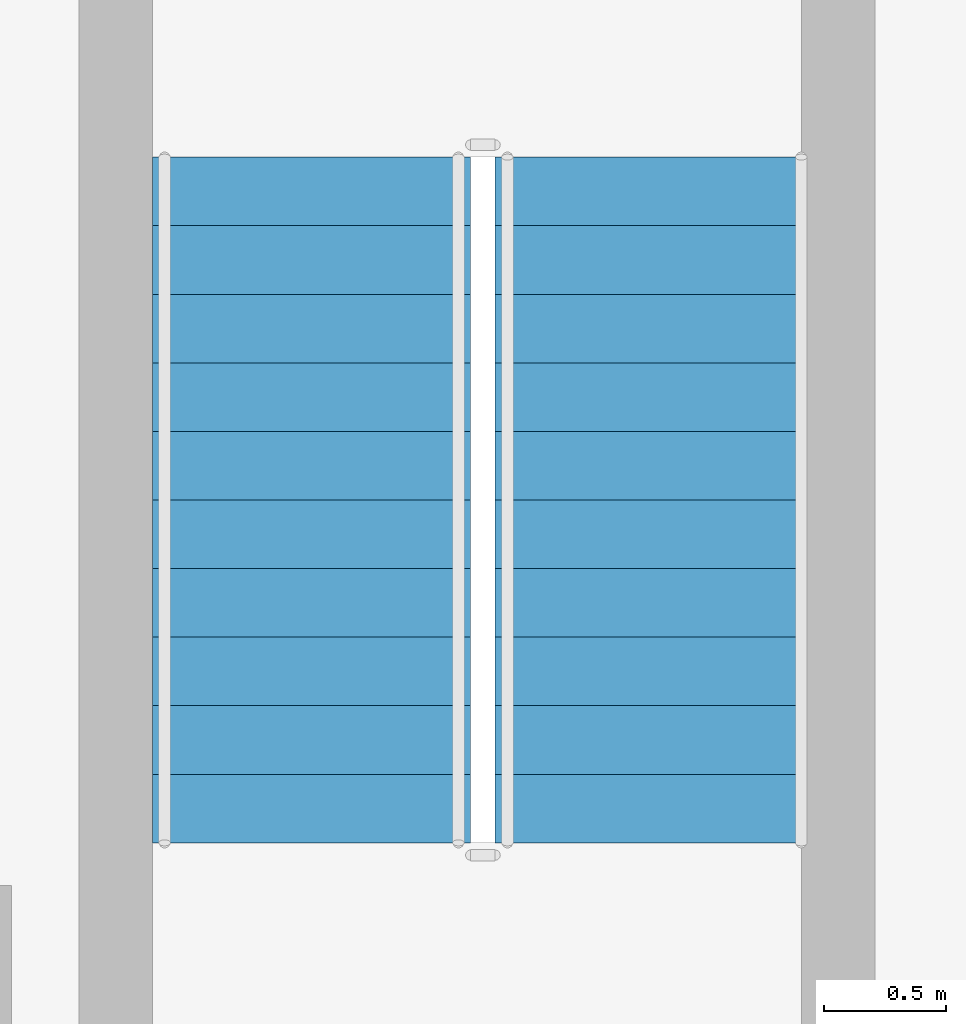
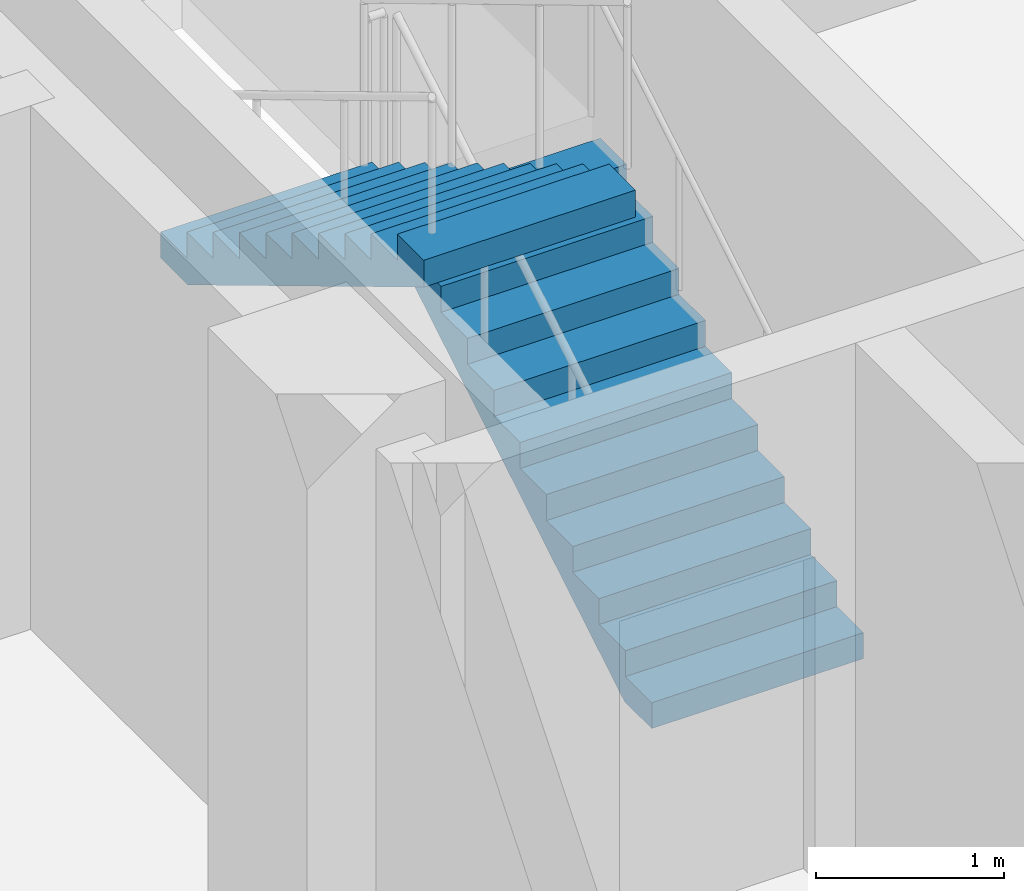
# One storey, part 18 of 25: 2 stair flights, 1 element without a shape of its own.
"""IFC4 building model written with IfcOpenShell, lengths in metres."""

import ifcopenshell
import ifcopenshell.guid

model = None  # the IFC model being written
_history = None  # IfcOwnerHistory: only IFC2X3 demands one
_inside = {}  # id of a spatial element -> (the spatial element, [elements in it])
_under = {}  # id of a project, library or spatial element -> (it, [spatial elements below it])
_declared = {}  # id of a project -> (the project, [libraries it declares])
_typed = {}  # id of a type object -> (the type object, [elements of that type])
_made_of = {}  # id of a material, layer set ... -> (it, [elements and type objects made of it])


def new_model(schema):
    """Start an empty IFC model of exactly this schema.

    Asked for "IFC4X3", IfcOpenShell would pick the latest addendum, in which some entities
    have other attributes; the version numbers below select the first issue.
    IFC2X3 requires an IfcOwnerHistory on every rooted entity: one is made here for all.
    """
    global model, _history
    if schema == "IFC4X3":
        model = ifcopenshell.file(schema_version=(4, 3, 0, 0))
    else:
        model = ifcopenshell.file(schema=schema)
    _inside.clear()
    _under.clear()
    _declared.clear()
    _typed.clear()
    _made_of.clear()
    _history = None
    if model.schema == "IFC2X3":
        org = make("IfcOrganization", Name="unknown")
        user = make(
            "IfcPersonAndOrganization",
            ThePerson=make("IfcPerson", FamilyName="unknown"),
            TheOrganization=org,
        )
        app = make(
            "IfcApplication",
            ApplicationDeveloper=org,
            Version="unknown",
            ApplicationFullName="unknown",
            ApplicationIdentifier="unknown",
        )
        _history = make(
            "IfcOwnerHistory",
            OwningUser=user,
            OwningApplication=app,
            ChangeAction="ADDED",
            CreationDate=0,
        )
    return model


def make(cls, **values):
    """One entity of the class cls with the attributes given. An attribute that is None is left unset."""
    return model.create_entity(
        cls, **{name: value for name, value in values.items() if value is not None}
    )


def rooted(cls, **values):
    """An entity with a GlobalId (a new one), such as an element, a storey or a relation."""
    return make(cls, GlobalId=ifcopenshell.guid.new(), OwnerHistory=_history, **values)


def si_unit(unit_type, name, prefix=None):
    """IfcSIUnit, for example si_unit("LENGTHUNIT", "METRE", prefix="MILLI")."""
    return make("IfcSIUnit", UnitType=unit_type, Prefix=prefix, Name=name)


def assignment(units):
    """IfcUnitAssignment: the units of a project."""
    return None if units is None else make("IfcUnitAssignment", Units=units)


def point(xyz):
    """IfcCartesianPoint."""
    return None if xyz is None else make("IfcCartesianPoint", Coordinates=xyz)


def direction(xyz):
    """IfcDirection."""
    return None if xyz is None else make("IfcDirection", DirectionRatios=xyz)


def frame(location, z_axis=None, x_axis=None):
    """IfcAxis2Placement3D, a coordinate frame: its origin and axes. An axis left out is left unset."""
    return make(
        "IfcAxis2Placement3D",
        Location=point(location),
        Axis=direction(z_axis),
        RefDirection=direction(x_axis),
    )


def origin():
    """The frame at (0, 0, 0) with its axes left unset."""
    return frame((0.0, 0.0, 0.0))


def place(relative_to, where):
    """IfcLocalPlacement: puts the frame where relative to a parent placement (None: the world)."""
    return make(
        "IfcLocalPlacement", PlacementRelTo=relative_to, RelativePlacement=where
    )


def context(
    kind, dimensions, precision=None, world=None, true_north=None, identifier=None
):
    """IfcGeometricRepresentationContext, for example the 3D "Model" context."""
    return make(
        "IfcGeometricRepresentationContext",
        ContextIdentifier=identifier,
        ContextType=kind,
        CoordinateSpaceDimension=dimensions,
        Precision=precision,
        WorldCoordinateSystem=world,
        TrueNorth=true_north,
    )


def subcontext(parent, identifier, kind, view, scale=None):
    """IfcGeometricRepresentationSubContext, for example "Body" below "Model"."""
    return make(
        "IfcGeometricRepresentationSubContext",
        ContextIdentifier=identifier,
        ContextType=kind,
        ParentContext=parent,
        TargetScale=scale,
        TargetView=view,
    )


def project(units=None, contexts=None):
    """IfcProject with its units and contexts."""
    return rooted(
        "IfcProject",
        Name="project",
        RepresentationContexts=contexts,
        UnitsInContext=assignment(units),
    )


def spatial(cls, under=None, at=None, **own):
    """A site, building, storey or space (cls), placed at a placement, below another one or the project."""
    s = rooted(cls, ObjectPlacement=at, **own)
    if under is not None:
        _under.setdefault(under.id(), (under, []))[1].append(s)
    return s


def point_list(points):
    """IfcCartesianPointList2D or 3D."""
    cls = (
        "IfcCartesianPointList2D" if len(points[0]) == 2 else "IfcCartesianPointList3D"
    )
    return make(cls, CoordList=points)


def triangles(points, corners, closed=None, point_numbers=None):
    """IfcTriangulatedFaceSet: each triangle names its three corners, points numbered from 1."""
    return make(
        "IfcTriangulatedFaceSet",
        Coordinates=point_list(points),
        Closed=closed,
        CoordIndex=corners,
        PnIndex=point_numbers,
    )


def shape(context_of_items, identifier, shape_type, items):
    """IfcShapeRepresentation: the items that make up one representation, for example the "Body"."""
    return make(
        "IfcShapeRepresentation",
        ContextOfItems=context_of_items,
        RepresentationIdentifier=identifier,
        RepresentationType=shape_type,
        Items=items,
    )


def source(mapping_origin, context_of_items, identifier, shape_type, items):
    """IfcRepresentationMap: a shape defined once, which mapped items show again and again."""
    return make(
        "IfcRepresentationMap",
        MappingOrigin=mapping_origin,
        MappedRepresentation=shape(context_of_items, identifier, shape_type, items),
    )


def transform(
    local_origin,
    x_axis=None,
    y_axis=None,
    z_axis=None,
    scale=None,
    scale2=None,
    scale3=None,
    uniform=True,
):
    """IfcCartesianTransformationOperator3D, or its non-uniform kind. x_axis, y_axis, z_axis: its Axis1, 2, 3."""
    if uniform:
        return make(
            "IfcCartesianTransformationOperator3D",
            Axis1=direction(x_axis),
            Axis2=direction(y_axis),
            LocalOrigin=point(local_origin),
            Scale=scale,
            Axis3=direction(z_axis),
        )
    return make(
        "IfcCartesianTransformationOperator3DnonUniform",
        Axis1=direction(x_axis),
        Axis2=direction(y_axis),
        LocalOrigin=point(local_origin),
        Scale=scale,
        Axis3=direction(z_axis),
        Scale2=scale2,
        Scale3=scale3,
    )


def mapped(mapping_source, mapping_target):
    """IfcMappedItem: shows the shape of a source again, moved by a transform."""
    return make(
        "IfcMappedItem", MappingSource=mapping_source, MappingTarget=mapping_target
    )


def material(Name=None, Category=None):
    """IfcMaterial."""
    return make("IfcMaterial", Name=Name, Category=Category)


def made_of(thing, what):
    """Note that an element or type object is made of a material, layer set ...; save() writes the relation."""
    if what is not None:
        _made_of.setdefault(what.id(), (what, []))[1].append(thing)
    return thing


def type_object(cls, material=None, **own):
    """A type object (cls), such as IfcWallType, which elements share."""
    return made_of(rooted(cls, **own), material)


def element(
    cls,
    number,
    at=None,
    inside=None,
    cuts=None,
    type_object=None,
    material=None,
    context=None,
    identifier="Body",
    shape_type=None,
    held_by="IfcProductDefinitionShape",
    body=None,
    shapes=None,
    **own,
):
    """One element of the class cls, such as IfcWall. Its Tag is "e" and its number.

    at: its placement. inside: the storey or other place that contains it. cuts: it is an
    opening in that element (IfcRelVoidsElement). A single representation is given by context,
    identifier, shape_type and body (its items); several are given by shapes. held_by: the class
    of the entity that holds the representations. save() writes the other relations.
    """
    e = rooted(cls, Tag="e%d" % number, ObjectPlacement=at, **own)
    if body is not None:
        shapes = [shape(context, identifier, shape_type, body)]
    if shapes is not None:
        e.Representation = make(held_by, Representations=shapes)
    if inside is not None:
        _inside.setdefault(inside.id(), (inside, []))[1].append(e)
    if cuts is not None:
        rooted(
            "IfcRelVoidsElement", RelatingBuildingElement=cuts, RelatedOpeningElement=e
        )
    if type_object is not None:
        _typed.setdefault(type_object.id(), (type_object, []))[1].append(e)
    return made_of(e, material)


def aggregate(whole, parts):
    """IfcRelAggregates: a whole, such as a stair, and the parts it consists of."""
    return rooted("IfcRelAggregates", RelatingObject=whole, RelatedObjects=parts)


def save(model, path):
    """Write the relations noted so far, then the file.

    IfcRelAggregates (storeys below a building ...), IfcRelContainedInSpatialStructure (elements
    in a storey), IfcRelDefinesByType, IfcRelAssociatesMaterial and IfcRelDeclares: one each for
    every whole, place, type object, material and project.
    """
    for whole, parts in _under.values():
        aggregate(whole, parts)
    for where, things in _inside.values():
        rooted(
            "IfcRelContainedInSpatialStructure",
            RelatedElements=things,
            RelatingStructure=where,
        )
    for kind, things in _typed.values():
        rooted("IfcRelDefinesByType", RelatedObjects=things, RelatingType=kind)
    for what, things in _made_of.values():
        rooted("IfcRelAssociatesMaterial", RelatedObjects=things, RelatingMaterial=what)
    for by, libraries in _declared.values():
        rooted("IfcRelDeclares", RelatingContext=by, RelatedDefinitions=libraries)
    model.write(path)


model = new_model("IFC4")

# Units and contexts
model_context = context("Model", 3, precision=1e-05, world=origin(), true_north=direction((0.0, 1.0)))
body_context = subcontext(model_context, "Body", "Model", "MODEL_VIEW")
ifc_project = project(units=[si_unit("LENGTHUNIT", "METRE"), si_unit("AREAUNIT", "SQUARE_METRE"), si_unit("VOLUMEUNIT", "CUBIC_METRE"), si_unit("PLANEANGLEUNIT", "RADIAN"), si_unit("MASSUNIT", "GRAM", prefix="KILO")], contexts=[model_context])

# Site, building, storey
site_placement = place(None, origin())
site = spatial("IfcSite", under=ifc_project, at=site_placement, CompositionType="ELEMENT")
building_placement = place(site_placement, origin())
building = spatial("IfcBuilding", under=site, at=building_placement, Name="Ogive Portal Towers", CompositionType="ELEMENT")
storey_placement = place(building_placement, frame((0.0, 0.0, 116.699951171875)))
storey = spatial("IfcBuildingStorey", under=building, at=storey_placement, Name="L28", CompositionType="ELEMENT", Elevation=116.699951171875)

# Stair, stair flights
ifc_material = material(Name="Concrete C40/50", Category="concrete")
stair_type = type_object("IfcStairType", Name="INT-STAIR", PredefinedType="HALF_TURN_STAIR", material=ifc_material)
stair_placement = place(storey_placement, origin())
stair = element("IfcStair", 1, at=stair_placement, inside=storey, type_object=stair_type, Name="L28 Exit Stair ST-A3", PredefinedType="HALF_TURN_STAIR")
stair_flight_type = type_object("IfcStairFlightType", Name="INT-FLIGHT", PredefinedType="STRAIGHT", material=ifc_material)
shared_shape = source(origin(), body_context, "Body", "Tessellation", [
    triangles([(0.0, -0.650146484375, 0.0), (0.0, -0.376220703125, 0.0), (0.0, -0.192626953125, 0.0), (0.0, -0.081298828125, 0.0), (0.0, -0.024169921875, 0.0), (0.0, -0.003173828125, 0.0), (0.0, 0.0, 0.0), (0.0, 0.0029296875, 0.0), (0.0, 0.02392578125, 0.0), (0.0, 0.0810546875, 0.0), (0.0, 0.1923828125, 0.0), (0.0, 0.3759765625, 0.0), (0.0, 0.64990234375, 0.0), (0.0, -0.650146484375, 0.168212890625), (0.0, -0.376220703125, 0.168212890625), (0.0, -0.192626953125, 0.168212890625), (0.0, -0.081298828125, 0.168212890625), (0.0, -0.024169921875, 0.168212890625), (0.0, -0.003173828125, 0.168212890625), (0.0, 0.0, 0.168212890625), (0.0, 0.0029296875, 0.168212890625), (0.0, 0.02392578125, 0.168212890625), (0.0, 0.0810546875, 0.168212890625), (0.0, 0.1923828125, 0.168212890625), (0.0, 0.3759765625, 0.168212890625), (0.0, 0.64990234375, 0.168212890625), (0.280029296875, -0.650146484375, 0.168212890625), (0.280029296875, -0.376220703125, 0.168212890625), (0.280029296875, -0.192626953125, 0.168212890625), (0.280029296875, -0.081298828125, 0.168212890625), (0.280029296875, -0.024169921875, 0.168212890625), (0.280029296875, -0.003173828125, 0.168212890625), (0.280029296875, 0.0, 0.168212890625), (0.280029296875, 0.0029296875, 0.168212890625), (0.280029296875, 0.02392578125, 0.168212890625), (0.280029296875, 0.0810546875, 0.168212890625), (0.280029296875, 0.1923828125, 0.168212890625), (0.280029296875, 0.3759765625, 0.168212890625), (0.280029296875, 0.64990234375, 0.168212890625), (0.280029296875, -0.650146484375, 0.33642578125), (0.280029296875, -0.376220703125, 0.33642578125), (0.280029296875, -0.192626953125, 0.33642578125), (0.280029296875, -0.081298828125, 0.33642578125), (0.280029296875, -0.024169921875, 0.33642578125), (0.280029296875, -0.003173828125, 0.33642578125), (0.280029296875, 0.0, 0.33642578125), (0.280029296875, 0.0029296875, 0.33642578125), (0.280029296875, 0.02392578125, 0.33642578125), (0.280029296875, 0.0810546875, 0.33642578125), (0.280029296875, 0.1923828125, 0.33642578125), (0.280029296875, 0.3759765625, 0.33642578125), (0.280029296875, 0.64990234375, 0.33642578125), (0.56005859375, -0.650146484375, 0.33642578125), (0.56005859375, -0.376220703125, 0.33642578125), (0.56005859375, -0.192626953125, 0.33642578125), (0.56005859375, -0.081298828125, 0.33642578125), (0.56005859375, -0.024169921875, 0.33642578125), (0.56005859375, -0.003173828125, 0.33642578125), (0.56005859375, 0.0, 0.33642578125), (0.56005859375, 0.0029296875, 0.33642578125), (0.56005859375, 0.02392578125, 0.33642578125), (0.56005859375, 0.0810546875, 0.33642578125), (0.56005859375, 0.1923828125, 0.33642578125), (0.56005859375, 0.3759765625, 0.33642578125), (0.56005859375, 0.64990234375, 0.33642578125), (0.56005859375, -0.650146484375, 0.504638671875), (0.56005859375, -0.376220703125, 0.504638671875), (0.56005859375, -0.192626953125, 0.504638671875), (0.56005859375, -0.081298828125, 0.504638671875), (0.56005859375, -0.024169921875, 0.504638671875), (0.56005859375, -0.003173828125, 0.504638671875), (0.56005859375, 0.0, 0.504638671875), (0.56005859375, 0.0029296875, 0.504638671875), (0.56005859375, 0.02392578125, 0.504638671875), (0.56005859375, 0.0810546875, 0.504638671875), (0.56005859375, 0.1923828125, 0.504638671875), (0.56005859375, 0.3759765625, 0.504638671875), (0.56005859375, 0.64990234375, 0.504638671875), (0.840087890625, -0.650146484375, 0.504638671875), (0.840087890625, -0.376220703125, 0.504638671875), (0.840087890625, -0.192626953125, 0.504638671875), (0.840087890625, -0.081298828125, 0.504638671875), (0.840087890625, -0.024169921875, 0.504638671875), (0.840087890625, -0.003173828125, 0.504638671875), (0.840087890625, 0.0, 0.504638671875), (0.840087890625, 0.0029296875, 0.504638671875), (0.840087890625, 0.02392578125, 0.504638671875), (0.840087890625, 0.0810546875, 0.504638671875), (0.840087890625, 0.1923828125, 0.504638671875), (0.840087890625, 0.3759765625, 0.504638671875), (0.840087890625, 0.64990234375, 0.504638671875), (0.840087890625, -0.650146484375, 0.672607421875), (0.840087890625, -0.376220703125, 0.672607421875), (0.840087890625, -0.192626953125, 0.672607421875), (0.840087890625, -0.081298828125, 0.672607421875), (0.840087890625, -0.024169921875, 0.672607421875), (0.840087890625, -0.003173828125, 0.672607421875), (0.840087890625, 0.0, 0.672607421875), (0.840087890625, 0.0029296875, 0.672607421875), (0.840087890625, 0.02392578125, 0.672607421875), (0.840087890625, 0.0810546875, 0.672607421875), (0.840087890625, 0.1923828125, 0.672607421875), (0.840087890625, 0.3759765625, 0.672607421875), (0.840087890625, 0.64990234375, 0.672607421875), (1.1201171875, -0.650146484375, 0.672607421875), (1.1201171875, -0.376220703125, 0.672607421875), (1.1201171875, -0.192626953125, 0.672607421875), (1.1201171875, -0.081298828125, 0.672607421875), (1.1201171875, -0.024169921875, 0.672607421875), (1.1201171875, -0.003173828125, 0.672607421875), (1.1201171875, 0.0, 0.672607421875), (1.1201171875, 0.0029296875, 0.672607421875), (1.1201171875, 0.02392578125, 0.672607421875), (1.1201171875, 0.0810546875, 0.672607421875), (1.1201171875, 0.1923828125, 0.672607421875), (1.1201171875, 0.3759765625, 0.672607421875), (1.1201171875, 0.64990234375, 0.672607421875), (1.1201171875, -0.650146484375, 0.8408203125), (1.1201171875, -0.376220703125, 0.8408203125), (1.1201171875, -0.192626953125, 0.8408203125), (1.1201171875, -0.081298828125, 0.8408203125), (1.1201171875, -0.024169921875, 0.8408203125), (1.1201171875, -0.003173828125, 0.8408203125), (1.1201171875, 0.0, 0.8408203125), (1.1201171875, 0.0029296875, 0.8408203125), (1.1201171875, 0.02392578125, 0.8408203125), (1.1201171875, 0.0810546875, 0.8408203125), (1.1201171875, 0.1923828125, 0.8408203125), (1.1201171875, 0.3759765625, 0.8408203125), (1.1201171875, 0.64990234375, 0.8408203125), (1.39990234375, -0.650146484375, 0.8408203125), (1.39990234375, -0.376220703125, 0.8408203125), (1.39990234375, -0.192626953125, 0.8408203125), (1.39990234375, -0.081298828125, 0.8408203125), (1.39990234375, -0.024169921875, 0.8408203125), (1.39990234375, -0.003173828125, 0.8408203125), (1.39990234375, 0.0, 0.8408203125), (1.39990234375, 0.0029296875, 0.8408203125), (1.39990234375, 0.02392578125, 0.8408203125), (1.39990234375, 0.0810546875, 0.8408203125), (1.39990234375, 0.1923828125, 0.8408203125), (1.39990234375, 0.3759765625, 0.8408203125), (1.39990234375, 0.64990234375, 0.8408203125), (1.39990234375, -0.650146484375, 1.009033203125), (1.39990234375, -0.376220703125, 1.009033203125), (1.39990234375, -0.192626953125, 1.009033203125), (1.39990234375, -0.081298828125, 1.009033203125), (1.39990234375, -0.024169921875, 1.009033203125), (1.39990234375, -0.003173828125, 1.009033203125), (1.39990234375, 0.0, 1.009033203125), (1.39990234375, 0.0029296875, 1.009033203125), (1.39990234375, 0.02392578125, 1.009033203125), (1.39990234375, 0.0810546875, 1.009033203125), (1.39990234375, 0.1923828125, 1.009033203125), (1.39990234375, 0.3759765625, 1.009033203125), (1.39990234375, 0.64990234375, 1.009033203125), (1.679931640625, -0.650146484375, 1.009033203125), (1.679931640625, -0.376220703125, 1.009033203125), (1.679931640625, -0.192626953125, 1.009033203125), (1.679931640625, -0.081298828125, 1.009033203125), (1.679931640625, -0.024169921875, 1.009033203125), (1.679931640625, -0.003173828125, 1.009033203125), (1.679931640625, 0.0, 1.009033203125), (1.679931640625, 0.0029296875, 1.009033203125), (1.679931640625, 0.02392578125, 1.009033203125), (1.679931640625, 0.0810546875, 1.009033203125), (1.679931640625, 0.1923828125, 1.009033203125), (1.679931640625, 0.3759765625, 1.009033203125), (1.679931640625, 0.64990234375, 1.009033203125), (1.679931640625, -0.650146484375, 1.17724609375), (1.679931640625, -0.376220703125, 1.17724609375), (1.679931640625, -0.192626953125, 1.17724609375), (1.679931640625, -0.081298828125, 1.17724609375), (1.679931640625, -0.024169921875, 1.17724609375), (1.679931640625, -0.003173828125, 1.17724609375), (1.679931640625, 0.0, 1.17724609375), (1.679931640625, 0.0029296875, 1.17724609375), (1.679931640625, 0.02392578125, 1.17724609375), (1.679931640625, 0.0810546875, 1.17724609375), (1.679931640625, 0.1923828125, 1.17724609375), (1.679931640625, 0.3759765625, 1.17724609375), (1.679931640625, 0.64990234375, 1.17724609375), (1.9599609375, -0.650146484375, 1.17724609375), (1.9599609375, -0.376220703125, 1.17724609375), (1.9599609375, -0.192626953125, 1.17724609375), (1.9599609375, -0.081298828125, 1.17724609375), (1.9599609375, -0.024169921875, 1.17724609375), (1.9599609375, -0.003173828125, 1.17724609375), (1.9599609375, 0.0, 1.17724609375), (1.9599609375, 0.0029296875, 1.17724609375), (1.9599609375, 0.02392578125, 1.17724609375), (1.9599609375, 0.0810546875, 1.17724609375), (1.9599609375, 0.1923828125, 1.17724609375), (1.9599609375, 0.3759765625, 1.17724609375), (1.9599609375, 0.64990234375, 1.17724609375), (1.9599609375, -0.650146484375, 1.345458984375), (1.9599609375, -0.376220703125, 1.345458984375), (1.9599609375, -0.192626953125, 1.345458984375), (1.9599609375, -0.081298828125, 1.345458984375), (1.9599609375, -0.024169921875, 1.345458984375), (1.9599609375, -0.003173828125, 1.345458984375), (1.9599609375, 0.0, 1.345458984375), (1.9599609375, 0.0029296875, 1.345458984375), (1.9599609375, 0.02392578125, 1.345458984375), (1.9599609375, 0.0810546875, 1.345458984375), (1.9599609375, 0.1923828125, 1.345458984375), (1.9599609375, 0.3759765625, 1.345458984375), (1.9599609375, 0.64990234375, 1.345458984375), (2.239990234375, -0.650146484375, 1.345458984375), (2.239990234375, -0.376220703125, 1.345458984375), (2.239990234375, -0.192626953125, 1.345458984375), (2.239990234375, -0.081298828125, 1.345458984375), (2.239990234375, -0.024169921875, 1.345458984375), (2.239990234375, -0.003173828125, 1.345458984375), (2.239990234375, 0.0, 1.345458984375), (2.239990234375, 0.0029296875, 1.345458984375), (2.239990234375, 0.02392578125, 1.345458984375), (2.239990234375, 0.0810546875, 1.345458984375), (2.239990234375, 0.1923828125, 1.345458984375), (2.239990234375, 0.3759765625, 1.345458984375), (2.239990234375, 0.64990234375, 1.345458984375), (2.239990234375, -0.650146484375, 1.513671875), (2.239990234375, -0.376220703125, 1.513671875), (2.239990234375, -0.192626953125, 1.513671875), (2.239990234375, -0.081298828125, 1.513671875), (2.239990234375, -0.024169921875, 1.513671875), (2.239990234375, -0.003173828125, 1.513671875), (2.239990234375, 0.0, 1.513671875), (2.239990234375, 0.0029296875, 1.513671875), (2.239990234375, 0.02392578125, 1.513671875), (2.239990234375, 0.0810546875, 1.513671875), (2.239990234375, 0.1923828125, 1.513671875), (2.239990234375, 0.3759765625, 1.513671875), (2.239990234375, 0.64990234375, 1.513671875), (2.52001953125, -0.650146484375, 1.513671875), (2.52001953125, -0.376220703125, 1.513671875), (2.52001953125, -0.192626953125, 1.513671875), (2.52001953125, -0.081298828125, 1.513671875), (2.52001953125, -0.024169921875, 1.513671875), (2.52001953125, -0.003173828125, 1.513671875), (2.52001953125, 0.0, 1.513671875), (2.52001953125, 0.0029296875, 1.513671875), (2.52001953125, 0.02392578125, 1.513671875), (2.52001953125, 0.0810546875, 1.513671875), (2.52001953125, 0.1923828125, 1.513671875), (2.52001953125, 0.3759765625, 1.513671875), (2.52001953125, 0.64990234375, 1.513671875), (2.52001953125, -0.650146484375, 1.681884765625), (2.52001953125, -0.376220703125, 1.681884765625), (2.52001953125, -0.192626953125, 1.681884765625), (2.52001953125, -0.081298828125, 1.681884765625), (2.52001953125, -0.024169921875, 1.681884765625), (2.52001953125, -0.003173828125, 1.681884765625), (2.52001953125, 0.0, 1.681884765625), (2.52001953125, 0.0029296875, 1.681884765625), (2.52001953125, 0.02392578125, 1.681884765625), (2.52001953125, 0.0810546875, 1.681884765625), (2.52001953125, 0.1923828125, 1.681884765625), (2.52001953125, 0.3759765625, 1.681884765625), (2.52001953125, 0.64990234375, 1.681884765625), (2.800048828125, -0.650146484375, 1.681884765625), (2.800048828125, -0.376220703125, 1.681884765625), (2.800048828125, -0.192626953125, 1.681884765625), (2.800048828125, -0.081298828125, 1.681884765625), (2.800048828125, -0.024169921875, 1.681884765625), (2.800048828125, -0.003173828125, 1.681884765625), (2.800048828125, 0.0, 1.681884765625), (2.800048828125, 0.0029296875, 1.681884765625), (2.800048828125, 0.02392578125, 1.681884765625), (2.800048828125, 0.0810546875, 1.681884765625), (2.800048828125, 0.1923828125, 1.681884765625), (2.800048828125, 0.3759765625, 1.681884765625), (2.800048828125, 0.64990234375, 1.681884765625), (2.800048828125, -0.650146484375, 1.5068359375), (2.800048828125, -0.376220703125, 1.5068359375), (2.800048828125, -0.192626953125, 1.5068359375), (2.800048828125, -0.081298828125, 1.5068359375), (2.800048828125, -0.024169921875, 1.5068359375), (2.800048828125, -0.003173828125, 1.5068359375), (2.800048828125, 0.0, 1.5068359375), (2.800048828125, 0.0029296875, 1.5068359375), (2.800048828125, 0.02392578125, 1.5068359375), (2.800048828125, 0.0810546875, 1.5068359375), (2.800048828125, 0.1923828125, 1.5068359375), (2.800048828125, 0.3759765625, 1.5068359375), (2.800048828125, 0.64990234375, 1.5068359375), (0.291015625, -0.650146484375, 0.0), (0.291015625, -0.376220703125, 0.0), (0.291015625, -0.192626953125, 0.0), (0.291015625, -0.081298828125, 0.0), (0.291015625, -0.024169921875, 0.0), (0.291015625, -0.003173828125, 0.0), (0.291015625, 0.0, 0.0), (0.291015625, 0.0029296875, 0.0), (0.291015625, 0.02392578125, 0.0), (0.291015625, 0.0810546875, 0.0), (0.291015625, 0.1923828125, 0.0), (0.291015625, 0.3759765625, 0.0), (0.291015625, 0.64990234375, 0.0)], [[1, 14, 15], [1, 15, 2], [2, 15, 16], [2, 16, 3], [3, 16, 17], [3, 17, 4], [4, 17, 18], [4, 18, 5], [5, 18, 19], [5, 19, 6], [6, 19, 20], [6, 20, 7], [7, 20, 21], [7, 21, 8], [8, 21, 22], [8, 22, 9], [9, 22, 23], [9, 23, 10], [10, 23, 24], [10, 24, 11], [11, 24, 25], [11, 25, 12], [12, 25, 26], [12, 26, 13], [14, 27, 28], [14, 28, 15], [15, 28, 29], [15, 29, 16], [16, 29, 30], [16, 30, 17], [17, 30, 31], [17, 31, 18], [18, 31, 32], [18, 32, 19], [19, 32, 33], [19, 33, 20], [20, 33, 34], [20, 34, 21], [21, 34, 35], [21, 35, 22], [22, 35, 36], [22, 36, 23], [23, 36, 37], [23, 37, 24], [24, 37, 38], [24, 38, 25], [25, 38, 39], [25, 39, 26], [27, 40, 41], [27, 41, 28], [28, 41, 42], [28, 42, 29], [29, 42, 43], [29, 43, 30], [30, 43, 44], [30, 44, 31], [31, 44, 45], [31, 45, 32], [32, 45, 46], [32, 46, 33], [33, 46, 47], [33, 47, 34], [34, 47, 48], [34, 48, 35], [35, 48, 49], [35, 49, 36], [36, 49, 50], [36, 50, 37], [37, 50, 51], [37, 51, 38], [38, 51, 52], [38, 52, 39], [40, 53, 54], [40, 54, 41], [41, 54, 55], [41, 55, 42], [42, 55, 56], [42, 56, 43], [43, 56, 57], [43, 57, 44], [44, 57, 58], [44, 58, 45], [45, 58, 59], [45, 59, 46], [46, 59, 60], [46, 60, 47], [47, 60, 61], [47, 61, 48], [48, 61, 62], [48, 62, 49], [49, 62, 63], [49, 63, 50], [50, 63, 64], [50, 64, 51], [51, 64, 65], [51, 65, 52], [53, 66, 67], [53, 67, 54], [54, 67, 68], [54, 68, 55], [55, 68, 69], [55, 69, 56], [56, 69, 70], [56, 70, 57], [57, 70, 71], [57, 71, 58], [58, 71, 72], [58, 72, 59], [59, 72, 73], [59, 73, 60], [60, 73, 74], [60, 74, 61], [61, 74, 75], [61, 75, 62], [62, 75, 76], [62, 76, 63], [63, 76, 77], [63, 77, 64], [64, 77, 78], [64, 78, 65], [66, 79, 80], [66, 80, 67], [67, 80, 81], [67, 81, 68], [68, 81, 82], [68, 82, 69], [69, 82, 83], [69, 83, 70], [70, 83, 84], [70, 84, 71], [71, 84, 85], [71, 85, 72], [72, 85, 86], [72, 86, 73], [73, 86, 87], [73, 87, 74], [74, 87, 88], [74, 88, 75], [75, 88, 89], [75, 89, 76], [76, 89, 90], [76, 90, 77], [77, 90, 91], [77, 91, 78], [79, 92, 93], [79, 93, 80], [80, 93, 94], [80, 94, 81], [81, 94, 95], [81, 95, 82], [82, 95, 96], [82, 96, 83], [83, 96, 97], [83, 97, 84], [84, 97, 98], [84, 98, 85], [85, 98, 99], [85, 99, 86], [86, 99, 100], [86, 100, 87], [87, 100, 101], [87, 101, 88], [88, 101, 102], [88, 102, 89], [89, 102, 103], [89, 103, 90], [90, 103, 104], [90, 104, 91], [92, 105, 106], [92, 106, 93], [93, 106, 107], [93, 107, 94], [94, 107, 108], [94, 108, 95], [95, 108, 109], [95, 109, 96], [96, 109, 110], [96, 110, 97], [97, 110, 111], [97, 111, 98], [98, 111, 112], [98, 112, 99], [99, 112, 113], [99, 113, 100], [100, 113, 114], [100, 114, 101], [101, 114, 115], [101, 115, 102], [102, 115, 116], [102, 116, 103], [103, 116, 117], [103, 117, 104], [105, 118, 119], [105, 119, 106], [106, 119, 120], [106, 120, 107], [107, 120, 121], [107, 121, 108], [108, 121, 122], [108, 122, 109], [109, 122, 123], [109, 123, 110], [110, 123, 124], [110, 124, 111], [111, 124, 125], [111, 125, 112], [112, 125, 126], [112, 126, 113], [113, 126, 127], [113, 127, 114], [114, 127, 128], [114, 128, 115], [115, 128, 129], [115, 129, 116], [116, 129, 130], [116, 130, 117], [118, 131, 132], [118, 132, 119], [119, 132, 133], [119, 133, 120], [120, 133, 134], [120, 134, 121], [121, 134, 135], [121, 135, 122], [122, 135, 136], [122, 136, 123], [123, 136, 137], [123, 137, 124], [124, 137, 138], [124, 138, 125], [125, 138, 139], [125, 139, 126], [126, 139, 140], [126, 140, 127], [127, 140, 141], [127, 141, 128], [128, 141, 142], [128, 142, 129], [129, 142, 143], [129, 143, 130], [131, 144, 145], [131, 145, 132], [132, 145, 146], [132, 146, 133], [133, 146, 147], [133, 147, 134], [134, 147, 148], [134, 148, 135], [135, 148, 149], [135, 149, 136], [136, 149, 150], [136, 150, 137], [137, 150, 151], [137, 151, 138], [138, 151, 152], [138, 152, 139], [139, 152, 153], [139, 153, 140], [140, 153, 154], [140, 154, 141], [141, 154, 155], [141, 155, 142], [142, 155, 156], [142, 156, 143], [144, 157, 158], [144, 158, 145], [145, 158, 159], [145, 159, 146], [146, 159, 160], [146, 160, 147], [147, 160, 161], [147, 161, 148], [148, 161, 162], [148, 162, 149], [149, 162, 163], [149, 163, 150], [150, 163, 164], [150, 164, 151], [151, 164, 165], [151, 165, 152], [152, 165, 166], [152, 166, 153], [153, 166, 167], [153, 167, 154], [154, 167, 168], [154, 168, 155], [155, 168, 169], [155, 169, 156], [157, 170, 171], [157, 171, 158], [158, 171, 172], [158, 172, 159], [159, 172, 173], [159, 173, 160], [160, 173, 174], [160, 174, 161], [161, 174, 175], [161, 175, 162], [162, 175, 176], [162, 176, 163], [163, 176, 177], [163, 177, 164], [164, 177, 178], [164, 178, 165], [165, 178, 179], [165, 179, 166], [166, 179, 180], [166, 180, 167], [167, 180, 181], [167, 181, 168], [168, 181, 182], [168, 182, 169], [170, 183, 184], [170, 184, 171], [171, 184, 185], [171, 185, 172], [172, 185, 186], [172, 186, 173], [173, 186, 187], [173, 187, 174], [174, 187, 188], [174, 188, 175], [175, 188, 189], [175, 189, 176], [176, 189, 190], [176, 190, 177], [177, 190, 191], [177, 191, 178], [178, 191, 192], [178, 192, 179], [179, 192, 193], [179, 193, 180], [180, 193, 194], [180, 194, 181], [181, 194, 195], [181, 195, 182], [183, 196, 197], [183, 197, 184], [184, 197, 198], [184, 198, 185], [185, 198, 199], [185, 199, 186], [186, 199, 200], [186, 200, 187], [187, 200, 201], [187, 201, 188], [188, 201, 202], [188, 202, 189], [189, 202, 203], [189, 203, 190], [190, 203, 204], [190, 204, 191], [191, 204, 205], [191, 205, 192], [192, 205, 206], [192, 206, 193], [193, 206, 207], [193, 207, 194], [194, 207, 208], [194, 208, 195], [196, 209, 210], [196, 210, 197], [197, 210, 211], [197, 211, 198], [198, 211, 212], [198, 212, 199], [199, 212, 213], [199, 213, 200], [200, 213, 214], [200, 214, 201], [201, 214, 215], [201, 215, 202], [202, 215, 216], [202, 216, 203], [203, 216, 217], [203, 217, 204], [204, 217, 218], [204, 218, 205], [205, 218, 219], [205, 219, 206], [206, 219, 220], [206, 220, 207], [207, 220, 221], [207, 221, 208], [209, 222, 223], [209, 223, 210], [210, 223, 224], [210, 224, 211], [211, 224, 225], [211, 225, 212], [212, 225, 226], [212, 226, 213], [213, 226, 227], [213, 227, 214], [214, 227, 228], [214, 228, 215], [215, 228, 229], [215, 229, 216], [216, 229, 230], [216, 230, 217], [217, 230, 231], [217, 231, 218], [218, 231, 232], [218, 232, 219], [219, 232, 233], [219, 233, 220], [220, 233, 234], [220, 234, 221], [222, 235, 236], [222, 236, 223], [223, 236, 237], [223, 237, 224], [224, 237, 238], [224, 238, 225], [225, 238, 239], [225, 239, 226], [226, 239, 240], [226, 240, 227], [227, 240, 241], [227, 241, 228], [228, 241, 242], [228, 242, 229], [229, 242, 243], [229, 243, 230], [230, 243, 244], [230, 244, 231], [231, 244, 245], [231, 245, 232], [232, 245, 246], [232, 246, 233], [233, 246, 247], [233, 247, 234], [235, 248, 249], [235, 249, 236], [236, 249, 250], [236, 250, 237], [237, 250, 251], [237, 251, 238], [238, 251, 252], [238, 252, 239], [239, 252, 253], [239, 253, 240], [240, 253, 254], [240, 254, 241], [241, 254, 255], [241, 255, 242], [242, 255, 256], [242, 256, 243], [243, 256, 257], [243, 257, 244], [244, 257, 258], [244, 258, 245], [245, 258, 259], [245, 259, 246], [246, 259, 260], [246, 260, 247], [248, 261, 262], [248, 262, 249], [249, 262, 263], [249, 263, 250], [250, 263, 264], [250, 264, 251], [251, 264, 265], [251, 265, 252], [252, 265, 266], [252, 266, 253], [253, 266, 267], [253, 267, 254], [254, 267, 268], [254, 268, 255], [255, 268, 269], [255, 269, 256], [256, 269, 270], [256, 270, 257], [257, 270, 271], [257, 271, 258], [258, 271, 272], [258, 272, 259], [259, 272, 273], [259, 273, 260], [261, 274, 275], [261, 275, 262], [262, 275, 276], [262, 276, 263], [263, 276, 277], [263, 277, 264], [264, 277, 278], [264, 278, 265], [265, 278, 279], [265, 279, 266], [266, 279, 280], [266, 280, 267], [267, 280, 281], [267, 281, 268], [268, 281, 282], [268, 282, 269], [269, 282, 283], [269, 283, 270], [270, 283, 284], [270, 284, 271], [271, 284, 285], [271, 285, 272], [272, 285, 286], [272, 286, 273], [274, 287, 288], [274, 288, 275], [275, 288, 289], [275, 289, 276], [276, 289, 290], [276, 290, 277], [277, 290, 291], [277, 291, 278], [278, 291, 292], [278, 292, 279], [279, 292, 293], [279, 293, 280], [280, 293, 294], [280, 294, 281], [281, 294, 295], [281, 295, 282], [282, 295, 296], [282, 296, 283], [283, 296, 297], [283, 297, 284], [284, 297, 298], [284, 298, 285], [285, 298, 299], [285, 299, 286], [287, 1, 2], [287, 2, 288], [288, 2, 3], [288, 3, 289], [289, 3, 4], [289, 4, 290], [290, 4, 5], [290, 5, 291], [291, 5, 6], [291, 6, 292], [292, 6, 7], [292, 7, 293], [293, 7, 8], [293, 8, 294], [294, 8, 9], [294, 9, 295], [295, 9, 10], [295, 10, 296], [296, 10, 11], [296, 11, 297], [297, 11, 12], [297, 12, 298], [298, 12, 13], [298, 13, 299], [1, 287, 274], [13, 286, 299], [274, 261, 248], [286, 260, 273], [274, 248, 235], [286, 247, 260], [274, 235, 222], [286, 234, 247], [274, 222, 209], [286, 221, 234], [209, 196, 183], [221, 195, 208], [274, 209, 183], [286, 195, 221], [183, 170, 157], [195, 169, 182], [274, 183, 157], [286, 169, 195], [157, 144, 131], [169, 143, 156], [274, 157, 131], [286, 143, 169], [131, 118, 105], [143, 117, 130], [274, 131, 105], [286, 117, 143], [1, 274, 105], [13, 117, 286], [105, 92, 79], [117, 91, 104], [79, 66, 53], [91, 65, 78], [105, 79, 53], [117, 65, 91], [53, 40, 27], [65, 39, 52], [105, 53, 27], [117, 39, 65], [1, 105, 27], [13, 39, 117], [27, 14, 1], [39, 13, 26]], closed=True),
])
stair_flight_1_placement = place(storey_placement, frame((43.550048828125, 67.199951171875, 0.0), z_axis=(0.0, 0.0, 1.0), x_axis=(0.0, 1.0, 0.0)))
stair_flight_1 = element("IfcStairFlight", 2, at=stair_flight_1_placement, type_object=stair_flight_type, Name="ST-A3 flight 1", NumberOfRisers=11, NumberOfTreads=10, PredefinedType="STRAIGHT", RiserHeight=0.168181818, TreadLength=0.28, context=body_context, shape_type="MappedRepresentation", body=[
    mapped(shared_shape, transform((0.0, 0.0, 0.0), scale=1.0)),
])
stair_flight_2_placement = place(storey_placement, frame((42.14990234375, 70.0, 1.85009765625), z_axis=(0.0, 0.0, 1.0), x_axis=(0.0, -1.0, 0.0)))
stair_flight_2 = element("IfcStairFlight", 3, at=stair_flight_2_placement, type_object=stair_flight_type, Name="ST-A3 flight 2", NumberOfRisers=11, NumberOfTreads=10, PredefinedType="STRAIGHT", RiserHeight=0.168181818, TreadLength=0.28, context=body_context, shape_type="MappedRepresentation", body=[
    mapped(shared_shape, transform((0.0, 0.0, 0.0), scale=1.0)),
])
aggregate(stair, [stair_flight_1, stair_flight_2])

save(model, "model.ifc")
